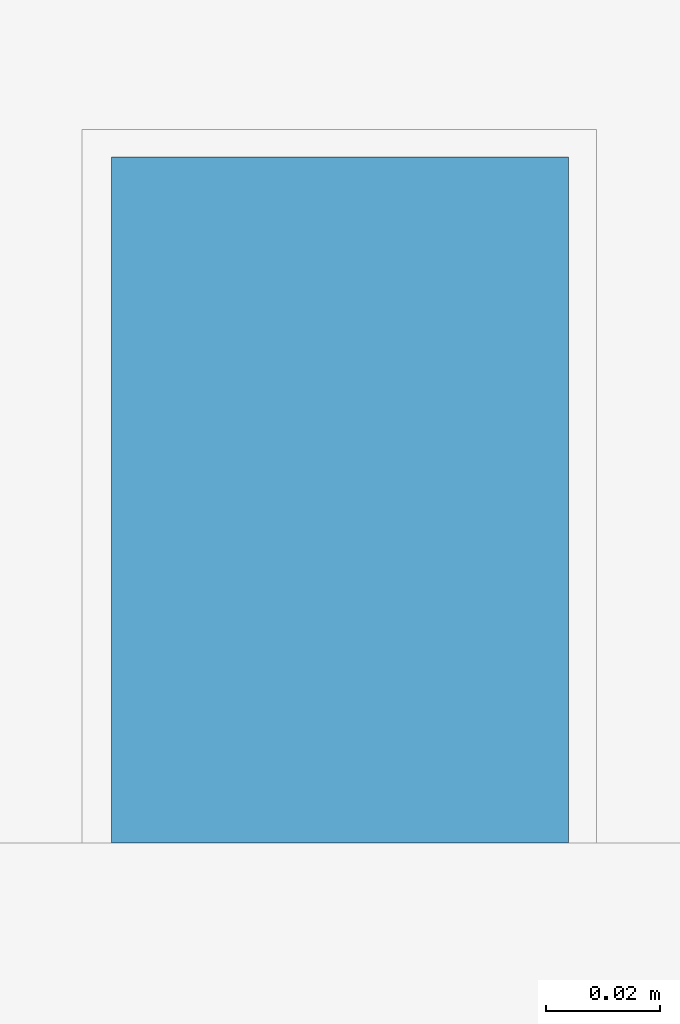
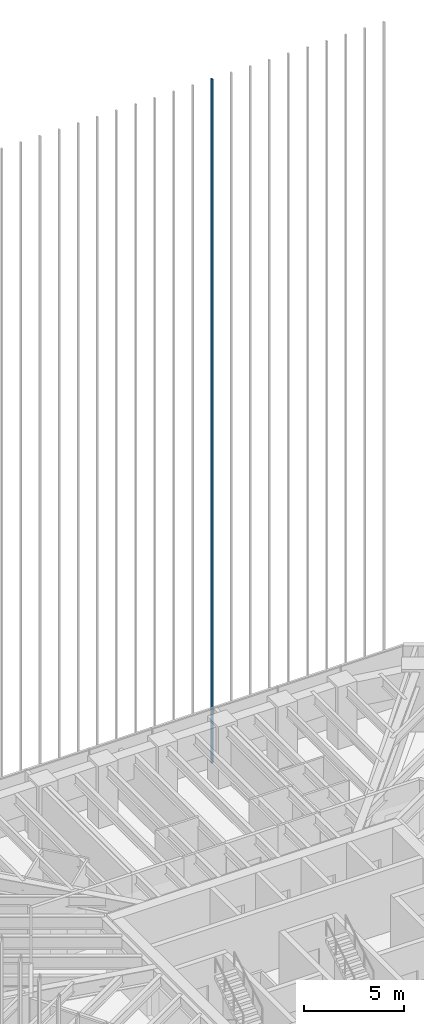
# One storey, part 94 of 127: 1 member, 1 element without a shape of its own.
"""IFC4 building model written with IfcOpenShell, lengths in metres."""

from ifc_helpers import new_model, si_unit, direction, frame, origin, origin_2d, place, context, subcontext, project, spatial, rectangle, extrude, material, material_profile, profile_set, type_object, element, aggregate, save


model = new_model("IFC4")

# Units and contexts
model_context = context("Model", 3, precision=1e-05, world=origin(), true_north=direction((0.0, 1.0)))
body_context = subcontext(model_context, "Body", "Model", "MODEL_VIEW")
ifc_project = project(units=[si_unit("LENGTHUNIT", "METRE"), si_unit("AREAUNIT", "SQUARE_METRE"), si_unit("VOLUMEUNIT", "CUBIC_METRE"), si_unit("PLANEANGLEUNIT", "RADIAN"), si_unit("MASSUNIT", "GRAM", prefix="KILO")], contexts=[model_context])

# Site, building, storey
site_placement = place(None, origin())
site = spatial("IfcSite", under=ifc_project, at=site_placement, CompositionType="ELEMENT")
building_placement = place(site_placement, origin())
building = spatial("IfcBuilding", under=site, at=building_placement, Name="Sandreach Pilgrim Tower", CompositionType="ELEMENT")
storey_placement = place(building_placement, frame((0.0, 0.0, 257.0)))
storey = spatial("IfcBuildingStorey", under=building, at=storey_placement, Name="L64", CompositionType="ELEMENT", Elevation=257.0)

# Curtain wall, member
ifc_material_1 = material(Name="Aluminium framed curtain wall", Category="aluminium")
curtain_wall_type = type_object("IfcCurtainWallType", Name="Suite tower curtain wall", PredefinedType="NOTDEFINED", material=ifc_material_1)
curtain_wall_placement = place(storey_placement, origin())
curtain_wall = element("IfcCurtainWall", 1, at=curtain_wall_placement, inside=storey, type_object=curtain_wall_type, Name="CW-4 L64 N", PredefinedType="NOTDEFINED")
ifc_material_2 = material(Name="Extruded terracotta on aluminium core", Category="masonry")
ifc_material_profile = material_profile(ifc_material_2, rectangle(XDim=0.080078125, YDim=0.1201171875, at=origin_2d()), Name="TBN 80X120")
ifc_profile_set = profile_set([ifc_material_profile], Name="Extruded terracotta on aluminium core")
member_type = type_object("IfcMemberType", Name="Terracotta baguette north", PredefinedType="USERDEFINED", material=ifc_profile_set)
member_placement = place(storey_placement, frame((5.502197265625, 20.1865234375, 0.0), z_axis=(0.0, 0.0, 1.0), x_axis=(1.0, 0.0, 0.0)))
member = element("IfcMember", 2, at=member_placement, type_object=member_type, Name="Baguette Z4 N20", ObjectType="BAGUETTE", PredefinedType="USERDEFINED", context=body_context, shape_type="SweptSolid", body=[
    extrude(rectangle(XDim=0.080078125, YDim=0.1201171875, at=origin_2d()), origin(), (0.0, 0.0, 1.0), 41.639892578125),
])
aggregate(curtain_wall, [member])

save(model, "model.ifc")
